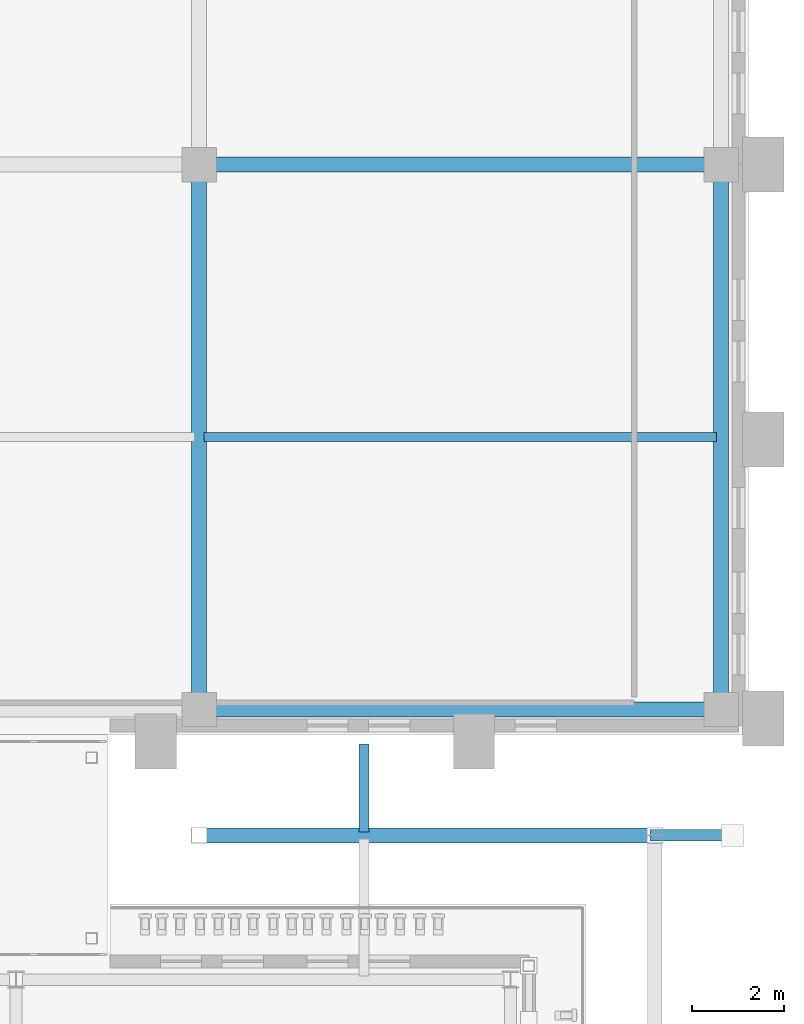
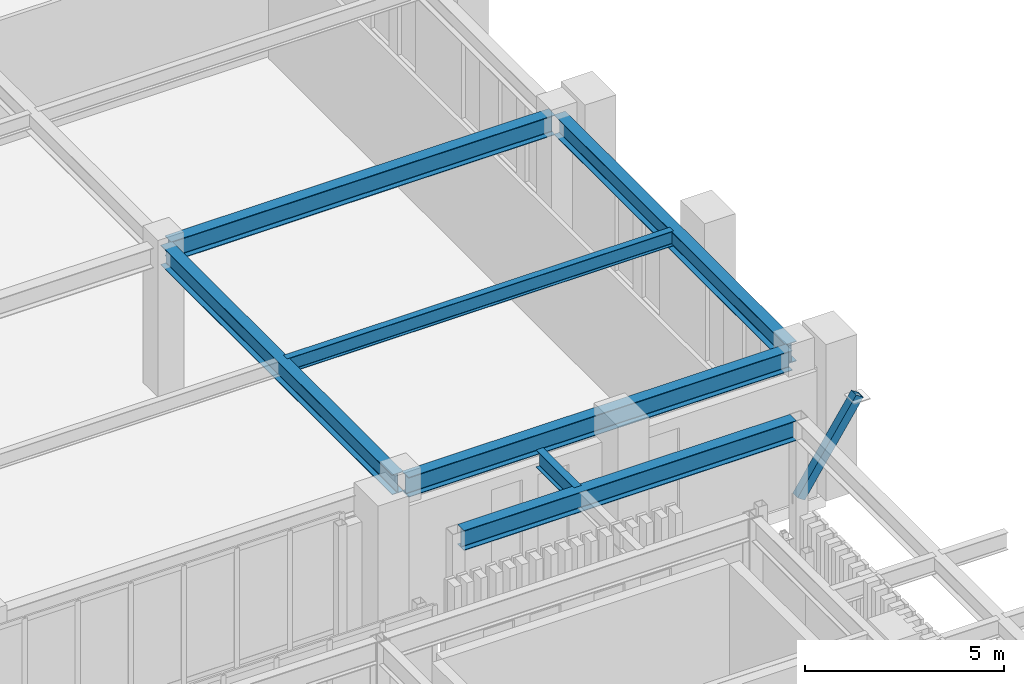
# One storey, part 61 of 126: 7 beams, 1 member.
"""IFC4 building model written with IfcOpenShell, lengths in metres."""

from ifc_helpers import new_model, si_unit, derived_unit, direction, frame, origin, origin_2d, place, context, subcontext, project, spatial, hollow_rectangle, i_section, extrude, material, material_profile, profile_set, type_object, element, save


model = new_model("IFC4")

# Units and contexts
model_context = context("Model", 3, precision=1e-05, world=origin(), true_north=direction((0.0, 1.0)))
body_context = subcontext(model_context, "Body", "Model", "MODEL_VIEW")
ifc_project = project(units=[si_unit("LENGTHUNIT", "METRE"), si_unit("AREAUNIT", "SQUARE_METRE"), si_unit("VOLUMEUNIT", "CUBIC_METRE"), si_unit("PLANEANGLEUNIT", "RADIAN"), si_unit("MASSUNIT", "GRAM", prefix="KILO"), derived_unit("THERMALTRANSMITTANCEUNIT", [(si_unit("MASSUNIT", "GRAM", prefix="KILO"), 1), (si_unit("TIMEUNIT", "SECOND"), -3), (si_unit("THERMODYNAMICTEMPERATUREUNIT", "KELVIN"), -1)])], contexts=[model_context])

# Site, building, storey
site_placement = place(None, origin())
site = spatial("IfcSite", under=ifc_project, at=site_placement, CompositionType="ELEMENT")
building_placement = place(site_placement, origin())
building = spatial("IfcBuilding", under=site, at=building_placement, Name="Valcora Ridge Arena", CompositionType="ELEMENT")
storey_placement = place(building_placement, frame((0.0, 0.0, 11.39990234375)))
storey = spatial("IfcBuildingStorey", under=building, at=storey_placement, Name="L02", CompositionType="ELEMENT", Elevation=11.39990234375)

# Beams
ifc_material_1 = material(Name="Steel ASTM A572 Grade 50", Category="steel")
ifc_material_profile_1 = material_profile(ifc_material_1, i_section(OverallWidth=0.324951171875, OverallDepth=0.612060546875, WebThickness=0.0126953125, FlangeThickness=0.01904296875, FilletRadius=0.01806640625, at=origin_2d()), Name="W24X104")
ifc_profile_set_1 = profile_set([ifc_material_profile_1], Name="Steel ASTM A572 Grade 50")
beam_type_1 = type_object("IfcBeamType", Name="TY-BEAM-G-COL-W24S", PredefinedType="BEAM", material=ifc_profile_set_1)
beam_1_placement = place(storey_placement, frame((180.159912109375, 80.949951171875, 4.174072265625), z_axis=(1.0, 0.0, 0.0), x_axis=(0.0, 1.0, 0.0)))
element("IfcBeam", 1, at=beam_1_placement, inside=storey, type_object=beam_type_1, Name="G-COL-W24S BEM-G-COL-W24S-0008", PredefinedType="BEAM", context=body_context, shape_type="SweptSolid", body=[
    extrude(i_section(OverallWidth=0.324951171875, OverallDepth=0.612060546875, WebThickness=0.0126953125, FlangeThickness=0.01904296875, FilletRadius=0.01806640625, at=origin_2d()), origin(), (0.0, 0.0, 1.0), 9.630126953125),
])
ifc_material_profile_2 = material_profile(ifc_material_1, i_section(OverallWidth=0.324951171875, OverallDepth=0.612060546875, WebThickness=0.0126953125, FlangeThickness=0.01904296875, FilletRadius=0.01806640625, at=origin_2d()), Name="W24X104")
ifc_profile_set_2 = profile_set([ifc_material_profile_2], Name="Steel ASTM A572 Grade 50")
beam_type_2 = type_object("IfcBeamType", Name="TY-BEAM-G-W24X104-X", PredefinedType="BEAM", material=ifc_profile_set_2)
beam_2_placement = place(storey_placement, frame((180.139892578125, 95.60009765625, 4.14404296875), z_axis=(1.0, 0.0, 0.0), x_axis=(0.0, 1.0, 0.0)))
element("IfcBeam", 2, at=beam_2_placement, inside=storey, type_object=beam_type_2, Name="G-W24X104-X BEM-G-W24X104-X-0065", PredefinedType="BEAM", context=body_context, shape_type="SweptSolid", body=[
    extrude(i_section(OverallWidth=0.324951171875, OverallDepth=0.612060546875, WebThickness=0.0126953125, FlangeThickness=0.01904296875, FilletRadius=0.01806640625, at=origin_2d()), origin(), (0.0, 0.0, 1.0), 11.1201171875),
])
ifc_material_profile_3 = material_profile(ifc_material_1, i_section(OverallWidth=0.324951171875, OverallDepth=0.612060546875, WebThickness=0.0126953125, FlangeThickness=0.01904296875, FilletRadius=0.01806640625, at=origin_2d()), Name="W24X104")
ifc_profile_set_3 = profile_set([ifc_material_profile_3], Name="Steel ASTM A572 Grade 50")
beam_type_3 = type_object("IfcBeamType", Name="TY-BEAM-G-W24X104-Y", PredefinedType="BEAM", material=ifc_profile_set_3)
for number, where, z_axis, x_axis, name in (
    (3, (180.0, 83.840087890625, 4.14404296875), (0.0, 1.0, 0.0), (-1.0, 0.0, 0.0), "G-W24X104-Y BEM-G-W24X104-Y-0101"),
    (4, (191.39990234375, 83.840087890625, 4.14404296875), (0.0, 1.0, 0.0), (-1.0, 0.0, 0.0), "G-W24X104-Y BEM-G-W24X104-Y-0105"),
):
    element("IfcBeam", number, at=place(storey_placement, frame(where, z_axis=z_axis, x_axis=x_axis)), inside=storey, type_object=beam_type_3, Name=name, PredefinedType="BEAM", context=body_context, shape_type="SweptSolid", body=[
        extrude(i_section(OverallWidth=0.324951171875, OverallDepth=0.612060546875, WebThickness=0.0126953125, FlangeThickness=0.01904296875, FilletRadius=0.01806640625, at=origin_2d()), origin(), (0.0, 0.0, 1.0), 11.619873046875),
    ])
ifc_material_profile_4 = material_profile(ifc_material_1, i_section(OverallWidth=0.18994140625, OverallDepth=0.45703125, WebThickness=0.009033203125, FlangeThickness=0.014404296875, FilletRadius=0.014892578125, at=origin_2d()), Name="W18X50")
ifc_profile_set_4 = profile_set([ifc_material_profile_4], Name="Steel ASTM A572 Grade 50")
beam_type_4 = type_object("IfcBeamType", Name="TY-BEAM-J-W18X50", PredefinedType="JOIST", material=ifc_profile_set_4)
beam_3_placement = place(storey_placement, frame((180.10009765625, 89.64990234375, 4.2216796875), z_axis=(1.0, 0.0, 0.0), x_axis=(0.0, 1.0, 0.0)))
element("IfcBeam", 5, at=beam_3_placement, inside=storey, type_object=beam_type_4, Name="J-W18X50 BEM-J-W18X50-0075", PredefinedType="JOIST", context=body_context, shape_type="SweptSolid", body=[
    extrude(i_section(OverallWidth=0.18994140625, OverallDepth=0.45703125, WebThickness=0.009033203125, FlangeThickness=0.014404296875, FilletRadius=0.014892578125, at=origin_2d()), origin(), (0.0, 0.0, 1.0), 11.199951171875),
])
ifc_material_profile_5 = material_profile(ifc_material_1, i_section(OverallWidth=0.208984375, OverallDepth=0.532958984375, WebThickness=0.01025390625, FlangeThickness=0.015625, FilletRadius=0.01611328125, at=origin_2d()), Name="W21X62")
ifc_profile_set_5 = profile_set([ifc_material_profile_5], Name="Steel ASTM A572 Grade 50")
beam_type_5 = type_object("IfcBeamType", Name="TY-BEAM-RAF-TIP-W21N", PredefinedType="BEAM", material=ifc_profile_set_5)
beam_4_placement = place(storey_placement, frame((183.60009765625, 81.030029296875, 4.213623046875), z_axis=(0.0, 1.0, 0.0), x_axis=(-1.0, 0.0, 0.0)))
element("IfcBeam", 6, at=beam_4_placement, inside=storey, type_object=beam_type_5, Name="RAF-TIP-W21N BEM-RAF-TIP-W21N-0007", PredefinedType="BEAM", context=body_context, shape_type="SweptSolid", body=[
    extrude(i_section(OverallWidth=0.208984375, OverallDepth=0.532958984375, WebThickness=0.01025390625, FlangeThickness=0.015625, FilletRadius=0.01611328125, at=origin_2d()), origin(), (0.0, 0.0, 1.0), 1.919921875),
])
ifc_material_profile_6 = material_profile(ifc_material_1, i_section(OverallWidth=0.324951171875, OverallDepth=0.612060546875, WebThickness=0.0126953125, FlangeThickness=0.01904296875, FilletRadius=0.01806640625, at=origin_2d()), Name="W24X104")
ifc_profile_set_6 = profile_set([ifc_material_profile_6], Name="Steel ASTM A572 Grade 50")
beam_type_6 = type_object("IfcBeamType", Name="TY-BEAM-SP-W24X104", PredefinedType="SPANDREL", material=ifc_profile_set_6)
beam_5_placement = place(storey_placement, frame((180.139892578125, 83.699951171875, 4.14404296875), z_axis=(1.0, 0.0, 0.0), x_axis=(0.0, 1.0, 0.0)))
element("IfcBeam", 7, at=beam_5_placement, inside=storey, type_object=beam_type_6, Name="SP-W24X104 BEM-SP-W24X104-0037", PredefinedType="SPANDREL", context=body_context, shape_type="SweptSolid", body=[
    extrude(i_section(OverallWidth=0.324951171875, OverallDepth=0.612060546875, WebThickness=0.0126953125, FlangeThickness=0.01904296875, FilletRadius=0.01806640625, at=origin_2d()), origin(), (0.0, 0.0, 1.0), 11.1201171875),
])

# Member
ifc_material_2 = material(Name="Steel ASTM A500 Grade C", Category="steel")
ifc_material_profile_7 = material_profile(ifc_material_2, hollow_rectangle(XDim=0.25, YDim=0.25, WallThickness=0.012451171875, at=origin_2d()), Name="HSS250X250X12")
ifc_profile_set_7 = profile_set([ifc_material_profile_7], Name="Steel ASTM A500 Grade C")
member_type = type_object("IfcMemberType", Name="TY-MEMBER-KBG-250", PredefinedType="BRACE", material=ifc_profile_set_7)
member_placement = place(storey_placement, frame((189.949951171875, 80.949951171875, 2.0), z_axis=(0.55317758564, 0.0, 0.833063358182), x_axis=(0.0, 1.0, 0.0)))
element("IfcMember", 8, at=member_placement, inside=storey, type_object=member_type, Name="KBG-250 Knee Brace", PredefinedType="BRACE", context=body_context, shape_type="SweptSolid", body=[
    extrude(hollow_rectangle(XDim=0.25, YDim=0.25, WallThickness=0.012451171875, at=origin_2d()), origin(), (0.0, 0.0, 1.0), 3.072998046875),
])

save(model, "model.ifc")
